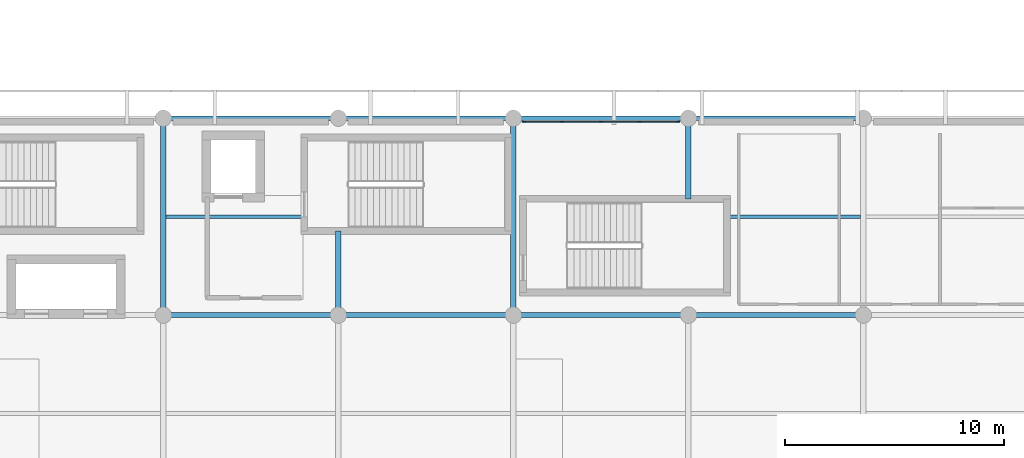
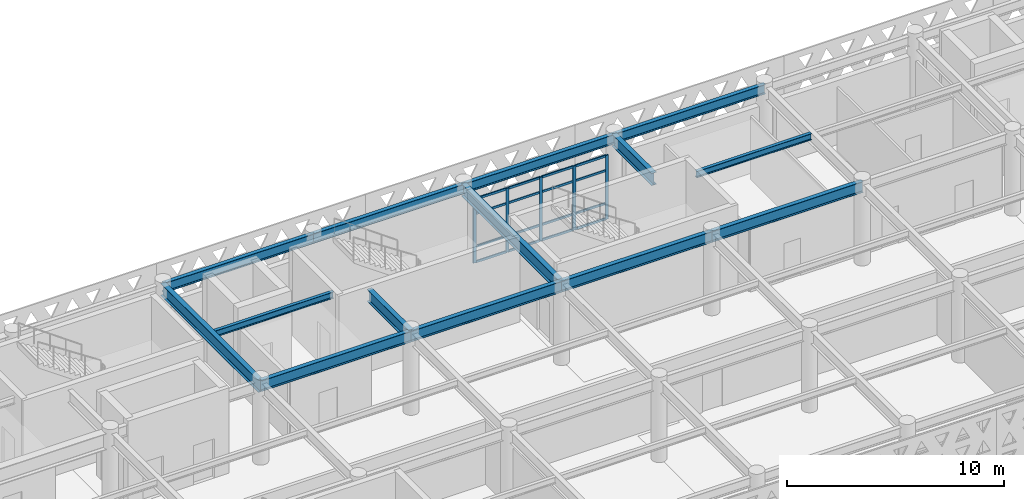
# One storey, part 9 of 33: 21 members, 14 beams, 1 element without a shape of its own.
"""IFC4 building model written with IfcOpenShell, lengths in metres."""

from ifc_helpers import new_model, si_unit, direction, frame, origin, origin_2d, place, context, subcontext, project, spatial, rectangle, i_section, extrude, material, layer, layer_set, material_profile, profile_set, type_object, element, aggregate, save


model = new_model("IFC4")

# Units and contexts
model_context = context("Model", 3, precision=1e-05, world=origin(), true_north=direction((0.0, 1.0)))
body_context = subcontext(model_context, "Body", "Model", "MODEL_VIEW")
ifc_project = project(units=[si_unit("LENGTHUNIT", "METRE"), si_unit("AREAUNIT", "SQUARE_METRE"), si_unit("VOLUMEUNIT", "CUBIC_METRE"), si_unit("PLANEANGLEUNIT", "RADIAN"), si_unit("MASSUNIT", "GRAM", prefix="KILO")], contexts=[model_context])

# Site, building, storey
site_placement = place(None, origin())
site = spatial("IfcSite", under=ifc_project, at=site_placement, CompositionType="ELEMENT")
building_placement = place(site_placement, origin())
building = spatial("IfcBuilding", under=site, at=building_placement, Name="Tlacozan Convention Centre", CompositionType="ELEMENT")
storey_placement = place(building_placement, frame((0.0, 0.0, 16.199951171875)))
storey = spatial("IfcBuildingStorey", under=building, at=storey_placement, Name="L03", CompositionType="ELEMENT", Elevation=16.199951171875)

# Curtain wall, members
ifc_material_1 = material(Name="Dark Bronze Anodised Aluminium", Category="aluminium")
ifc_layer = layer(ifc_material_1, 0.159912109375)
ifc_layer_set = layer_set([ifc_layer], Name="Dark Bronze Anodised Aluminium")
curtain_wall_type = type_object("IfcCurtainWallType", Name="Unitised Congress L03 South CW04", PredefinedType="NOTDEFINED", material=ifc_layer_set)
curtain_wall_placement = place(storey_placement, origin())
curtain_wall = element("IfcCurtainWall", 1, at=curtain_wall_placement, inside=storey, type_object=curtain_wall_type, Name="L03 CW-04 Run 117", PredefinedType="NOTDEFINED")
ifc_material_profile_1 = material_profile(ifc_material_1, rectangle(XDim=0.06494140625, YDim=0.159912109375, at=origin_2d()), Name="ALU 65x160")
ifc_profile_set_1 = profile_set([ifc_material_profile_1], Name="Dark Bronze Anodised Aluminium")
member_type_1 = type_object("IfcMemberType", Name="Curtain Wall Mullion 65x160", PredefinedType="MULLION", material=ifc_profile_set_1)
member_1_placement = place(storey_placement, frame((48.482421875, 26.840087890625, 0.0), z_axis=(0.0, 0.0, 1.0), x_axis=(0.0, 1.0, 0.0)))
member_1 = element("IfcMember", 2, at=member_1_placement, type_object=member_type_1, Name="CW-04 mullion 1", PredefinedType="MULLION", context=body_context, shape_type="SweptSolid", body=[
    extrude(rectangle(XDim=0.06494140625, YDim=0.159912109375, at=origin_2d()), origin(), (0.0, 0.0, 1.0), 3.60009765625),
])
member_2_placement = place(storey_placement, frame((50.22509765625, 26.840087890625, 0.0), z_axis=(0.0, 0.0, 1.0), x_axis=(0.0, 1.0, 0.0)))
member_2 = element("IfcMember", 3, at=member_2_placement, type_object=member_type_1, Name="CW-04 mullion 2", PredefinedType="MULLION", context=body_context, shape_type="SweptSolid", body=[
    extrude(rectangle(XDim=0.06494140625, YDim=0.159912109375, at=origin_2d()), origin(), (0.0, 0.0, 1.0), 3.60009765625),
])
member_3_placement = place(storey_placement, frame((52.0, 26.840087890625, 0.0), z_axis=(0.0, 0.0, 1.0), x_axis=(0.0, 1.0, 0.0)))
member_3 = element("IfcMember", 4, at=member_3_placement, type_object=member_type_1, Name="CW-04 mullion 3", PredefinedType="MULLION", context=body_context, shape_type="SweptSolid", body=[
    extrude(rectangle(XDim=0.06494140625, YDim=0.159912109375, at=origin_2d()), origin(), (0.0, 0.0, 1.0), 3.60009765625),
])
member_4_placement = place(storey_placement, frame((53.77490234375, 26.840087890625, 0.0), z_axis=(0.0, 0.0, 1.0), x_axis=(0.0, 1.0, 0.0)))
member_4 = element("IfcMember", 5, at=member_4_placement, type_object=member_type_1, Name="CW-04 mullion 4", PredefinedType="MULLION", context=body_context, shape_type="SweptSolid", body=[
    extrude(rectangle(XDim=0.06494140625, YDim=0.159912109375, at=origin_2d()), origin(), (0.0, 0.0, 1.0), 3.60009765625),
])
member_5_placement = place(storey_placement, frame((55.517578125, 26.840087890625, 0.0), z_axis=(0.0, 0.0, 1.0), x_axis=(0.0, 1.0, 0.0)))
member_5 = element("IfcMember", 6, at=member_5_placement, type_object=member_type_1, Name="CW-04 mullion 5", PredefinedType="MULLION", context=body_context, shape_type="SweptSolid", body=[
    extrude(rectangle(XDim=0.06494140625, YDim=0.159912109375, at=origin_2d()), origin(), (0.0, 0.0, 1.0), 3.60009765625),
])
ifc_material_profile_2 = material_profile(ifc_material_1, rectangle(XDim=0.06494140625, YDim=0.125, at=origin_2d()), Name="ALU 65x125")
ifc_profile_set_2 = profile_set([ifc_material_profile_2], Name="Dark Bronze Anodised Aluminium")
member_type_2 = type_object("IfcMemberType", Name="Curtain Wall Transom 65x125", PredefinedType="USERDEFINED", material=ifc_profile_set_2)
member_6_placement = place(storey_placement, frame((48.514892578125, 26.840087890625, 0.032470703125), z_axis=(1.0, 0.0, 0.0), x_axis=(0.0, 1.0, 0.0)))
member_6 = element("IfcMember", 7, at=member_6_placement, type_object=member_type_2, Name="CW-04 transom 1.1", ObjectType="TRANSOM", PredefinedType="USERDEFINED", context=body_context, shape_type="SweptSolid", body=[
    extrude(rectangle(XDim=0.06494140625, YDim=0.125, at=origin_2d()), origin(), (0.0, 0.0, 1.0), 1.677490234375),
])
member_7_placement = place(storey_placement, frame((48.514892578125, 26.840087890625, 0.900146484375), z_axis=(1.0, 0.0, 0.0), x_axis=(0.0, 1.0, 0.0)))
member_7 = element("IfcMember", 8, at=member_7_placement, type_object=member_type_2, Name="CW-04 transom 1.2", ObjectType="TRANSOM", PredefinedType="USERDEFINED", context=body_context, shape_type="SweptSolid", body=[
    extrude(rectangle(XDim=0.06494140625, YDim=0.125, at=origin_2d()), origin(), (0.0, 0.0, 1.0), 1.677490234375),
])
member_8_placement = place(storey_placement, frame((48.514892578125, 26.840087890625, 2.75), z_axis=(1.0, 0.0, 0.0), x_axis=(0.0, 1.0, 0.0)))
member_8 = element("IfcMember", 9, at=member_8_placement, type_object=member_type_2, Name="CW-04 transom 1.3", ObjectType="TRANSOM", PredefinedType="USERDEFINED", context=body_context, shape_type="SweptSolid", body=[
    extrude(rectangle(XDim=0.06494140625, YDim=0.125, at=origin_2d()), origin(), (0.0, 0.0, 1.0), 1.677490234375),
])
member_9_placement = place(storey_placement, frame((48.514892578125, 26.840087890625, 3.567626953125), z_axis=(1.0, 0.0, 0.0), x_axis=(0.0, 1.0, 0.0)))
member_9 = element("IfcMember", 10, at=member_9_placement, type_object=member_type_2, Name="CW-04 transom 1.4", ObjectType="TRANSOM", PredefinedType="USERDEFINED", context=body_context, shape_type="SweptSolid", body=[
    extrude(rectangle(XDim=0.06494140625, YDim=0.125, at=origin_2d()), origin(), (0.0, 0.0, 1.0), 1.677490234375),
])
member_10_placement = place(storey_placement, frame((50.257568359375, 26.840087890625, 0.032470703125), z_axis=(1.0, 0.0, 0.0), x_axis=(0.0, 1.0, 0.0)))
member_10 = element("IfcMember", 11, at=member_10_placement, type_object=member_type_2, Name="CW-04 transom 2.1", ObjectType="TRANSOM", PredefinedType="USERDEFINED", context=body_context, shape_type="SweptSolid", body=[
    extrude(rectangle(XDim=0.06494140625, YDim=0.125, at=origin_2d()), origin(), (0.0, 0.0, 1.0), 1.7099609375),
])
member_11_placement = place(storey_placement, frame((50.257568359375, 26.840087890625, 0.900146484375), z_axis=(1.0, 0.0, 0.0), x_axis=(0.0, 1.0, 0.0)))
member_11 = element("IfcMember", 12, at=member_11_placement, type_object=member_type_2, Name="CW-04 transom 2.2", ObjectType="TRANSOM", PredefinedType="USERDEFINED", context=body_context, shape_type="SweptSolid", body=[
    extrude(rectangle(XDim=0.06494140625, YDim=0.125, at=origin_2d()), origin(), (0.0, 0.0, 1.0), 1.7099609375),
])
member_12_placement = place(storey_placement, frame((50.257568359375, 26.840087890625, 2.75), z_axis=(1.0, 0.0, 0.0), x_axis=(0.0, 1.0, 0.0)))
member_12 = element("IfcMember", 13, at=member_12_placement, type_object=member_type_2, Name="CW-04 transom 2.3", ObjectType="TRANSOM", PredefinedType="USERDEFINED", context=body_context, shape_type="SweptSolid", body=[
    extrude(rectangle(XDim=0.06494140625, YDim=0.125, at=origin_2d()), origin(), (0.0, 0.0, 1.0), 1.7099609375),
])
member_13_placement = place(storey_placement, frame((50.257568359375, 26.840087890625, 3.567626953125), z_axis=(1.0, 0.0, 0.0), x_axis=(0.0, 1.0, 0.0)))
member_13 = element("IfcMember", 14, at=member_13_placement, type_object=member_type_2, Name="CW-04 transom 2.4", ObjectType="TRANSOM", PredefinedType="USERDEFINED", context=body_context, shape_type="SweptSolid", body=[
    extrude(rectangle(XDim=0.06494140625, YDim=0.125, at=origin_2d()), origin(), (0.0, 0.0, 1.0), 1.7099609375),
])
member_14_placement = place(storey_placement, frame((52.032470703125, 26.840087890625, 0.032470703125), z_axis=(1.0, 0.0, 0.0), x_axis=(0.0, 1.0, 0.0)))
member_14 = element("IfcMember", 15, at=member_14_placement, type_object=member_type_2, Name="CW-04 transom 3.1", ObjectType="TRANSOM", PredefinedType="USERDEFINED", context=body_context, shape_type="SweptSolid", body=[
    extrude(rectangle(XDim=0.06494140625, YDim=0.125, at=origin_2d()), origin(), (0.0, 0.0, 1.0), 1.7099609375),
])
member_15_placement = place(storey_placement, frame((52.032470703125, 26.840087890625, 0.900146484375), z_axis=(1.0, 0.0, 0.0), x_axis=(0.0, 1.0, 0.0)))
member_15 = element("IfcMember", 16, at=member_15_placement, type_object=member_type_2, Name="CW-04 transom 3.2", ObjectType="TRANSOM", PredefinedType="USERDEFINED", context=body_context, shape_type="SweptSolid", body=[
    extrude(rectangle(XDim=0.06494140625, YDim=0.125, at=origin_2d()), origin(), (0.0, 0.0, 1.0), 1.7099609375),
])
member_16_placement = place(storey_placement, frame((52.032470703125, 26.840087890625, 2.75), z_axis=(1.0, 0.0, 0.0), x_axis=(0.0, 1.0, 0.0)))
member_16 = element("IfcMember", 17, at=member_16_placement, type_object=member_type_2, Name="CW-04 transom 3.3", ObjectType="TRANSOM", PredefinedType="USERDEFINED", context=body_context, shape_type="SweptSolid", body=[
    extrude(rectangle(XDim=0.06494140625, YDim=0.125, at=origin_2d()), origin(), (0.0, 0.0, 1.0), 1.7099609375),
])
member_17_placement = place(storey_placement, frame((52.032470703125, 26.840087890625, 3.567626953125), z_axis=(1.0, 0.0, 0.0), x_axis=(0.0, 1.0, 0.0)))
member_17 = element("IfcMember", 18, at=member_17_placement, type_object=member_type_2, Name="CW-04 transom 3.4", ObjectType="TRANSOM", PredefinedType="USERDEFINED", context=body_context, shape_type="SweptSolid", body=[
    extrude(rectangle(XDim=0.06494140625, YDim=0.125, at=origin_2d()), origin(), (0.0, 0.0, 1.0), 1.7099609375),
])
member_18_placement = place(storey_placement, frame((53.8076171875, 26.840087890625, 0.032470703125), z_axis=(1.0, 0.0, 0.0), x_axis=(0.0, 1.0, 0.0)))
member_18 = element("IfcMember", 19, at=member_18_placement, type_object=member_type_2, Name="CW-04 transom 4.1", ObjectType="TRANSOM", PredefinedType="USERDEFINED", context=body_context, shape_type="SweptSolid", body=[
    extrude(rectangle(XDim=0.06494140625, YDim=0.125, at=origin_2d()), origin(), (0.0, 0.0, 1.0), 1.677490234375),
])
member_19_placement = place(storey_placement, frame((53.8076171875, 26.840087890625, 0.900146484375), z_axis=(1.0, 0.0, 0.0), x_axis=(0.0, 1.0, 0.0)))
member_19 = element("IfcMember", 20, at=member_19_placement, type_object=member_type_2, Name="CW-04 transom 4.2", ObjectType="TRANSOM", PredefinedType="USERDEFINED", context=body_context, shape_type="SweptSolid", body=[
    extrude(rectangle(XDim=0.06494140625, YDim=0.125, at=origin_2d()), origin(), (0.0, 0.0, 1.0), 1.677490234375),
])
member_20_placement = place(storey_placement, frame((53.8076171875, 26.840087890625, 2.75), z_axis=(1.0, 0.0, 0.0), x_axis=(0.0, 1.0, 0.0)))
member_20 = element("IfcMember", 21, at=member_20_placement, type_object=member_type_2, Name="CW-04 transom 4.3", ObjectType="TRANSOM", PredefinedType="USERDEFINED", context=body_context, shape_type="SweptSolid", body=[
    extrude(rectangle(XDim=0.06494140625, YDim=0.125, at=origin_2d()), origin(), (0.0, 0.0, 1.0), 1.677490234375),
])
member_21_placement = place(storey_placement, frame((53.8076171875, 26.840087890625, 3.567626953125), z_axis=(1.0, 0.0, 0.0), x_axis=(0.0, 1.0, 0.0)))
member_21 = element("IfcMember", 22, at=member_21_placement, type_object=member_type_2, Name="CW-04 transom 4.4", ObjectType="TRANSOM", PredefinedType="USERDEFINED", context=body_context, shape_type="SweptSolid", body=[
    extrude(rectangle(XDim=0.06494140625, YDim=0.125, at=origin_2d()), origin(), (0.0, 0.0, 1.0), 1.677490234375),
])
aggregate(curtain_wall, [member_1, member_2, member_3, member_4, member_5, member_6, member_7, member_8, member_9, member_10, member_11, member_12, member_13, member_14, member_15, member_16, member_17, member_18, member_19, member_20, member_21])

# Beams
ifc_material_2 = material(Name="Steel ASTM A992 Grade 50", Category="steel")
ifc_material_profile_3 = material_profile(ifc_material_2, i_section(OverallWidth=0.22900390625, OverallDepth=0.612060546875, WebThickness=0.011962890625, FlangeThickness=0.01953125, FilletRadius=0.012939453125, at=origin_2d()), Name="IR 610x125.0")
ifc_profile_set_3 = profile_set([ifc_material_profile_3], Name="Steel ASTM A992 Grade 50")
beam_type_1 = type_object("IfcBeamType", Name="Floor Beam IR 610x125", PredefinedType="BEAM", material=ifc_profile_set_3)
for number, where, z_axis, x_axis, name in (
    (23, (32.0, 18.0, 4.254150390625), (1.0, 0.0, 0.0), (0.0, 1.0, 0.0), "L03 Floor Beam IR 610x125 590"),
    (24, (40.0, 18.0, 4.254150390625), (1.0, 0.0, 0.0), (0.0, 1.0, 0.0), "L03 Floor Beam IR 610x125 594"),
    (25, (48.0, 18.0, 4.254150390625), (1.0, 0.0, 0.0), (0.0, 1.0, 0.0), "L03 Floor Beam IR 610x125 598"),
    (26, (56.0, 18.0, 4.254150390625), (1.0, 0.0, 0.0), (0.0, 1.0, 0.0), "L03 Floor Beam IR 610x125 602"),
):
    element("IfcBeam", number, at=place(storey_placement, frame(where, z_axis=z_axis, x_axis=x_axis)), inside=storey, type_object=beam_type_1, Name=name, PredefinedType="BEAM", context=body_context, shape_type="SweptSolid", body=[
        extrude(i_section(OverallWidth=0.22900390625, OverallDepth=0.612060546875, WebThickness=0.011962890625, FlangeThickness=0.01953125, FilletRadius=0.012939453125, at=origin_2d()), origin(), (0.0, 0.0, 1.0), 8.0),
    ])
ifc_material_profile_4 = material_profile(ifc_material_2, i_section(OverallWidth=0.256103515625, OverallDepth=0.693115234375, WebThickness=0.014404296875, FlangeThickness=0.023681640625, FilletRadius=0.014892578125, at=origin_2d()), Name="IR 686x170.0")
ifc_profile_set_4 = profile_set([ifc_material_profile_4], Name="Steel ASTM A992 Grade 50")
beam_type_2 = type_object("IfcBeamType", Name="Girder Steel IR 686x170", PredefinedType="BEAM", material=ifc_profile_set_4)
beam_1_placement = place(storey_placement, frame((32.0, 18.0, 4.213623046875), z_axis=(0.0, 1.0, 0.0), x_axis=(-1.0, 0.0, 0.0)))
element("IfcBeam", 27, at=beam_1_placement, inside=storey, type_object=beam_type_2, Name="L03 Girder Steel IR 686x170 548", PredefinedType="BEAM", context=body_context, shape_type="SweptSolid", body=[
    extrude(i_section(OverallWidth=0.256103515625, OverallDepth=0.693115234375, WebThickness=0.014404296875, FlangeThickness=0.023681640625, FilletRadius=0.014892578125, at=origin_2d()), origin(), (0.0, 0.0, 1.0), 9.0),
])
beam_2_placement = place(storey_placement, frame((40.0, 18.0, 4.213623046875), z_axis=(0.0, 1.0, 0.0), x_axis=(-1.0, 0.0, 0.0)))
element("IfcBeam", 28, at=beam_2_placement, inside=storey, type_object=beam_type_2, Name="L03 Girder Steel IR 686x170 551", PredefinedType="BEAM", context=body_context, shape_type="SweptSolid", body=[
    extrude(i_section(OverallWidth=0.256103515625, OverallDepth=0.693115234375, WebThickness=0.014404296875, FlangeThickness=0.023681640625, FilletRadius=0.014892578125, at=origin_2d()), origin(), (0.0, 0.0, 1.0), 3.840087890625),
])
beam_3_placement = place(storey_placement, frame((48.0, 18.0, 4.213623046875), z_axis=(0.0, 1.0, 0.0), x_axis=(-1.0, 0.0, 0.0)))
element("IfcBeam", 29, at=beam_3_placement, inside=storey, type_object=beam_type_2, Name="L03 Girder Steel IR 686x170 554", PredefinedType="BEAM", context=body_context, shape_type="SweptSolid", body=[
    extrude(i_section(OverallWidth=0.256103515625, OverallDepth=0.693115234375, WebThickness=0.014404296875, FlangeThickness=0.023681640625, FilletRadius=0.014892578125, at=origin_2d()), origin(), (0.0, 0.0, 1.0), 9.0),
])
beam_4_placement = place(storey_placement, frame((56.0, 23.320068359375, 4.213623046875), z_axis=(0.0, 1.0, 0.0), x_axis=(-1.0, 0.0, 0.0)))
element("IfcBeam", 30, at=beam_4_placement, inside=storey, type_object=beam_type_2, Name="L03 Girder Steel IR 686x170 557", PredefinedType="BEAM", context=body_context, shape_type="SweptSolid", body=[
    extrude(i_section(OverallWidth=0.256103515625, OverallDepth=0.693115234375, WebThickness=0.014404296875, FlangeThickness=0.023681640625, FilletRadius=0.014892578125, at=origin_2d()), origin(), (0.0, 0.0, 1.0), 3.679931640625),
])
ifc_material_profile_5 = material_profile(ifc_material_2, i_section(OverallWidth=0.2109375, OverallDepth=0.5390625, WebThickness=0.01171875, FlangeThickness=0.018798828125, FilletRadius=0.012939453125, at=origin_2d()), Name="IR 533x109.0")
ifc_profile_set_5 = profile_set([ifc_material_profile_5], Name="Steel ASTM A992 Grade 50")
beam_type_3 = type_object("IfcBeamType", Name="Perimeter Spandrel IR 533x109", PredefinedType="SPANDREL", material=ifc_profile_set_5)
for number, where, z_axis, x_axis, name in (
    (31, (32.0, 27.0, 4.29052734375), (1.0, 0.0, 0.0), (0.0, 1.0, 0.0), "L03 Perimeter Spandrel IR 533x109 591"),
    (32, (40.0, 27.0, 4.29052734375), (1.0, 0.0, 0.0), (0.0, 1.0, 0.0), "L03 Perimeter Spandrel IR 533x109 595"),
    (33, (48.0, 27.0, 4.29052734375), (1.0, 0.0, 0.0), (0.0, 1.0, 0.0), "L03 Perimeter Spandrel IR 533x109 599"),
    (34, (56.0, 27.0, 4.29052734375), (1.0, 0.0, 0.0), (0.0, 1.0, 0.0), "L03 Perimeter Spandrel IR 533x109 603"),
):
    element("IfcBeam", number, at=place(storey_placement, frame(where, z_axis=z_axis, x_axis=x_axis)), inside=storey, type_object=beam_type_3, Name=name, PredefinedType="SPANDREL", context=body_context, shape_type="SweptSolid", body=[
        extrude(i_section(OverallWidth=0.2109375, OverallDepth=0.5390625, WebThickness=0.01171875, FlangeThickness=0.018798828125, FilletRadius=0.012939453125, at=origin_2d()), origin(), (0.0, 0.0, 1.0), 8.0),
    ])
ifc_material_profile_6 = material_profile(ifc_material_2, i_section(OverallWidth=0.173095703125, OverallDepth=0.364013671875, WebThickness=0.009033203125, FlangeThickness=0.015625, FilletRadius=0.010009765625, at=origin_2d()), Name="IR 356x67.1")
ifc_profile_set_6 = profile_set([ifc_material_profile_6], Name="Steel ASTM A992 Grade 50")
beam_type_4 = type_object("IfcBeamType", Name="Secondary Joist IR 356x67.1", PredefinedType="JOIST", material=ifc_profile_set_6)
beam_5_placement = place(storey_placement, frame((32.1259765625, 22.5, 4.3779296875), z_axis=(1.0, 0.0, 0.0), x_axis=(0.0, 1.0, 0.0)))
element("IfcBeam", 35, at=beam_5_placement, inside=storey, type_object=beam_type_4, Name="L03 Secondary Joist IR 356x67.1 631", PredefinedType="JOIST", context=body_context, shape_type="SweptSolid", body=[
    extrude(i_section(OverallWidth=0.173095703125, OverallDepth=0.364013671875, WebThickness=0.009033203125, FlangeThickness=0.015625, FilletRadius=0.010009765625, at=origin_2d()), origin(), (0.0, 0.0, 1.0), 6.31396484375),
])
beam_6_placement = place(storey_placement, frame((57.760009765625, 22.5, 4.3779296875), z_axis=(1.0, 0.0, 0.0), x_axis=(0.0, 1.0, 0.0)))
element("IfcBeam", 36, at=beam_6_placement, inside=storey, type_object=beam_type_4, Name="L03 Secondary Joist IR 356x67.1 638", PredefinedType="JOIST", context=body_context, shape_type="SweptSolid", body=[
    extrude(i_section(OverallWidth=0.173095703125, OverallDepth=0.364013671875, WebThickness=0.009033203125, FlangeThickness=0.015625, FilletRadius=0.010009765625, at=origin_2d()), origin(), (0.0, 0.0, 1.0), 6.114013671875),
])

save(model, "model.ifc")
